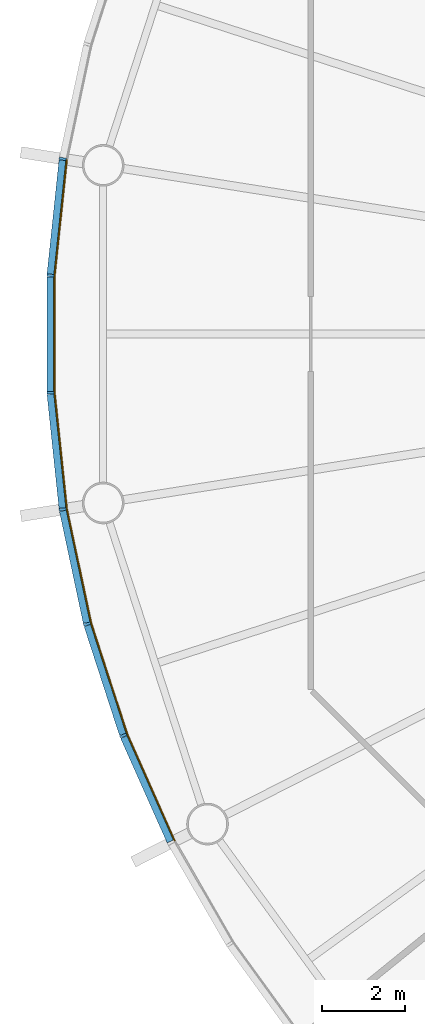
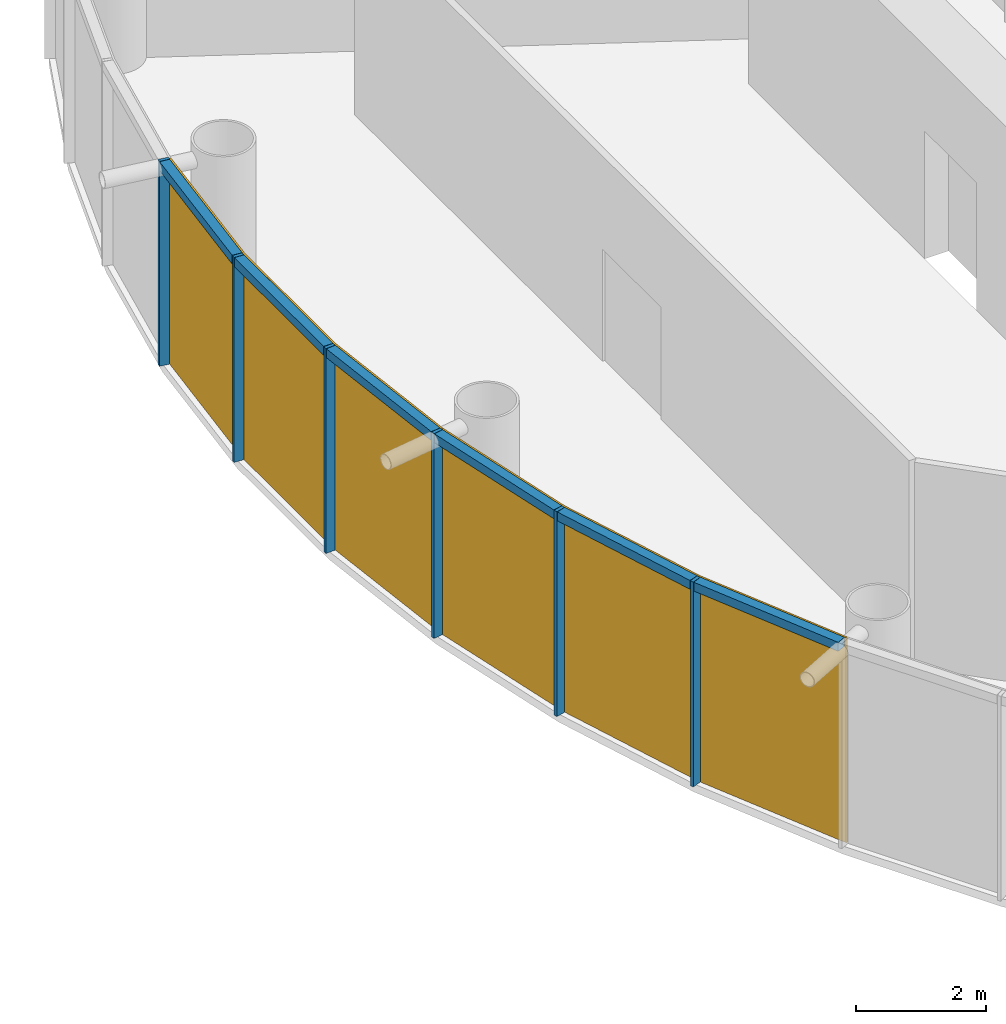
# One storey, part 7 of 12: 12 members, 2 curtain walls.
"""IFC4 building model written with IfcOpenShell, lengths in metres."""

from ifc_helpers import new_model, si_unit, direction, frame, origin, origin_2d, place, context, subcontext, project, spatial, polyline, rectangle, outline, extrude, material, layer, layer_set, material_profile, profile_set, type_object, element, aggregate, save


model = new_model("IFC4")

# Units and contexts
model_context = context("Model", 3, precision=1e-05, world=origin(), true_north=direction((0.0, 1.0)))
body_context = subcontext(model_context, "Body", "Model", "MODEL_VIEW")
ifc_project = project(units=[si_unit("LENGTHUNIT", "METRE"), si_unit("AREAUNIT", "SQUARE_METRE"), si_unit("VOLUMEUNIT", "CUBIC_METRE"), si_unit("PLANEANGLEUNIT", "RADIAN"), si_unit("MASSUNIT", "GRAM", prefix="KILO")], contexts=[model_context])

# Member
ifc_material_1 = material(Name="Anodised aluminium", Category="aluminium")
ifc_material_profile_1 = material_profile(ifc_material_1, rectangle(XDim=0.06005859375, YDim=0.169921875, at=origin_2d()), Name="Mullion 60 x 170 mm anodised aluminium")
ifc_profile_set_1 = profile_set([ifc_material_profile_1], Name="Anodised aluminium")
member_type_1 = type_object("IfcMemberType", Name="Mullion 60 x 170 mm anodised aluminium", PredefinedType="MULLION", material=ifc_profile_set_1)
site_placement = place(None, origin())
building_placement = place(site_placement, origin())
storey_placement = place(building_placement, frame((0.0, 0.0, 246.0)))
member_1_placement = place(storey_placement, frame((63.446044921875, 84.205810546875, 0.0), z_axis=(0.0, 0.0, 1.0), x_axis=(-0.15643446504, -0.987688340595, 0.0)))
member_1 = element("IfcMember", 1, at=member_1_placement, type_object=member_type_1, Name="MULLION L56-27", PredefinedType="MULLION", context=body_context, shape_type="SweptSolid", body=[
    extrude(rectangle(XDim=0.06005859375, YDim=0.169921875, at=origin_2d()), origin(), (0.0, 0.0, 1.0), 3.85009765625),
])

member_2_placement = place(storey_placement, frame((63.15185546875, 81.406982421875, 0.0), z_axis=(0.0, 0.0, 1.0), x_axis=(-0.052335956243, -0.998629534755, 0.0)))
member_2 = element("IfcMember", 2, at=member_2_placement, type_object=member_type_1, Name="MULLION L56-28", PredefinedType="MULLION", context=body_context, shape_type="SweptSolid", body=[
    extrude(rectangle(XDim=0.06005859375, YDim=0.169921875, at=origin_2d()), origin(), (0.0, 0.0, 1.0), 3.85009765625),
])

member_3_placement = place(storey_placement, frame((63.15185546875, 78.593017578125, 0.0), z_axis=(0.0, 0.0, 1.0), x_axis=(0.052335956243, -0.998629534755, 0.0)))
member_3 = element("IfcMember", 3, at=member_3_placement, type_object=member_type_1, Name="MULLION L56-29", PredefinedType="MULLION", context=body_context, shape_type="SweptSolid", body=[
    extrude(rectangle(XDim=0.06005859375, YDim=0.169921875, at=origin_2d()), origin(), (0.0, 0.0, 1.0), 3.85009765625),
])

member_4_placement = place(storey_placement, frame((63.446044921875, 75.794189453125, 0.0), z_axis=(0.0, 0.0, 1.0), x_axis=(0.15643446504, -0.987688340595, 0.0)))
member_4 = element("IfcMember", 4, at=member_4_placement, type_object=member_type_1, Name="MULLION L56-30", PredefinedType="MULLION", context=body_context, shape_type="SweptSolid", body=[
    extrude(rectangle(XDim=0.06005859375, YDim=0.169921875, at=origin_2d()), origin(), (0.0, 0.0, 1.0), 3.85009765625),
])

member_5_placement = place(storey_placement, frame((64.031005859375, 73.041748046875, 0.0), z_axis=(0.0, 0.0, 1.0), x_axis=(0.258819045103, -0.965925826289, 0.0)))
member_5 = element("IfcMember", 5, at=member_5_placement, type_object=member_type_1, Name="MULLION L56-31", PredefinedType="MULLION", context=body_context, shape_type="SweptSolid", body=[
    extrude(rectangle(XDim=0.06005859375, YDim=0.169921875, at=origin_2d()), origin(), (0.0, 0.0, 1.0), 3.85009765625),
])

member_6_placement = place(storey_placement, frame((64.900634765625, 70.365234375, 0.0), z_axis=(0.0, 0.0, 1.0), x_axis=(0.358367949545, -0.933580426497, 0.0)))
member_6 = element("IfcMember", 6, at=member_6_placement, type_object=member_type_1, Name="MULLION L56-32", PredefinedType="MULLION", context=body_context, shape_type="SweptSolid", body=[
    extrude(rectangle(XDim=0.06005859375, YDim=0.169921875, at=origin_2d()), origin(), (0.0, 0.0, 1.0), 3.85009765625),
])

ifc_material_2 = material(Name="Anodised aluminium", Category="aluminium")
ifc_material_profile_2 = material_profile(ifc_material_2, rectangle(XDim=0.169921875, YDim=0.1650390625, at=origin_2d()), Name="Transom 165 x 170 mm anodised aluminium")
ifc_profile_set_2 = profile_set([ifc_material_profile_2], Name="Anodised aluminium")
member_type_2 = type_object("IfcMemberType", Name="Transom 165 x 170 mm anodised aluminium", PredefinedType="USERDEFINED", material=ifc_profile_set_2)
member_7_placement = place(storey_placement, frame((63.4423828125, 84.17138671875, 3.767578125), z_axis=(-0.104592190102, -0.994515195344, 0.0), x_axis=(0.994515195344, -0.104592190102, 0.0)))
member_7 = element("IfcMember", 7, at=member_7_placement, type_object=member_type_2, Name="TRANSOM L56-27", ObjectType="TRANSOM", PredefinedType="USERDEFINED", context=body_context, shape_type="SweptSolid", body=[
    extrude(rectangle(XDim=0.169921875, YDim=0.1650390625, at=origin_2d()), origin(), (0.0, 0.0, 1.0), 2.7451171875),
])

member_8_placement = place(storey_placement, frame((63.151611328125, 81.37255859375, 3.767578125), z_axis=(0.0, -1.0, 0.0), x_axis=(1.0, 0.0, 0.0)))
member_8 = element("IfcMember", 8, at=member_8_placement, type_object=member_type_2, Name="TRANSOM L56-28", ObjectType="TRANSOM", PredefinedType="USERDEFINED", context=body_context, shape_type="SweptSolid", body=[
    extrude(rectangle(XDim=0.169921875, YDim=0.1650390625, at=origin_2d()), origin(), (0.0, 0.0, 1.0), 2.7451171875),
])

member_9_placement = place(storey_placement, frame((63.1552734375, 78.55859375, 3.767578125), z_axis=(0.104592190102, -0.994515195344, 0.0), x_axis=(0.994515195344, 0.104592190102, 0.0)))
member_9 = element("IfcMember", 9, at=member_9_placement, type_object=member_type_2, Name="TRANSOM L56-29", ObjectType="TRANSOM", PredefinedType="USERDEFINED", context=body_context, shape_type="SweptSolid", body=[
    extrude(rectangle(XDim=0.169921875, YDim=0.1650390625, at=origin_2d()), origin(), (0.0, 0.0, 1.0), 2.7451171875),
])

member_10_placement = place(storey_placement, frame((63.453125, 75.760498046875, 3.767578125), z_axis=(0.207937468562, -0.97814212115, 0.0), x_axis=(0.97814212115, 0.207937468562, 0.0)))
member_10 = element("IfcMember", 10, at=member_10_placement, type_object=member_type_2, Name="TRANSOM L56-30", ObjectType="TRANSOM", PredefinedType="USERDEFINED", context=body_context, shape_type="SweptSolid", body=[
    extrude(rectangle(XDim=0.169921875, YDim=0.1650390625, at=origin_2d()), origin(), (0.0, 0.0, 1.0), 2.7451171875),
])

member_11_placement = place(storey_placement, frame((64.04150390625, 73.0087890625, 3.767578125), z_axis=(0.309041831781, -0.951048445774, 0.0), x_axis=(0.951048445774, 0.309041831781, 0.0)))
member_11 = element("IfcMember", 11, at=member_11_placement, type_object=member_type_2, Name="TRANSOM L56-31", ObjectType="TRANSOM", PredefinedType="USERDEFINED", context=body_context, shape_type="SweptSolid", body=[
    extrude(rectangle(XDim=0.169921875, YDim=0.1650390625, at=origin_2d()), origin(), (0.0, 0.0, 1.0), 2.7451171875),
])

member_12_placement = place(storey_placement, frame((64.91455078125, 70.333740234375, 3.767578125), z_axis=(0.406781987391, -0.913525267704, 0.0), x_axis=(0.913525267704, 0.406781987391, 0.0)))
member_12 = element("IfcMember", 12, at=member_12_placement, type_object=member_type_2, Name="TRANSOM L56-32", ObjectType="TRANSOM", PredefinedType="USERDEFINED", context=body_context, shape_type="SweptSolid", body=[
    extrude(rectangle(XDim=0.169921875, YDim=0.1650390625, at=origin_2d()), origin(), (0.0, 0.0, 1.0), 2.7451171875),
])

# Site, building, storey
site = spatial("IfcSite", under=ifc_project, at=site_placement, CompositionType="ELEMENT")
building = spatial("IfcBuilding", under=site, at=building_placement, Name="Entoto Ring Tower", CompositionType="ELEMENT")
storey = spatial("IfcBuildingStorey", under=building, at=storey_placement, Name="L56", CompositionType="ELEMENT", Elevation=246.0)

# Curtain wall
ifc_material_3 = material(Name="Clear low-iron glass", Category="glass")
ifc_layer = layer(ifc_material_3, 0.031982421875)
ifc_layer_set = layer_set([ifc_layer], Name="Clear low-iron glass")
curtain_wall_type = type_object("IfcCurtainWallType", Name="Curtain wall system CW4 glazing 32 mm", PredefinedType="NOTDEFINED", material=ifc_layer_set)
curtain_wall_1_placement = place(storey_placement, origin())
curtain_wall_1 = element("IfcCurtainWall", 13, at=curtain_wall_1_placement, inside=storey, type_object=curtain_wall_type, Name="CW4 L56-10", PredefinedType="NOTDEFINED", context=body_context, shape_type="SweptSolid", body=[
    extrude(outline(polyline([(63.530029296875, 84.1923828125), (63.23681640625, 81.402587890625), (63.23681640625, 78.597412109375), (63.530029296875, 75.8076171875), (63.5615234375, 75.8125), (63.268798828125, 78.59912109375), (63.268798828125, 81.40087890625), (63.5615234375, 84.1875), (63.530029296875, 84.1923828125)])), origin(), (0.0, 0.0, 1.0), 3.85009765625),
])

aggregate(curtain_wall_1, [member_1, member_2, member_3, member_7, member_8, member_9])

curtain_wall_2_placement = place(storey_placement, origin())
curtain_wall_2 = element("IfcCurtainWall", 14, at=curtain_wall_2_placement, inside=storey, type_object=curtain_wall_type, Name="CW4 L56-11", PredefinedType="NOTDEFINED", context=body_context, shape_type="SweptSolid", body=[
    extrude(outline(polyline([(63.530029296875, 75.8076171875), (64.11328125, 73.063720703125), (64.97998046875, 70.395751953125), (66.12109375, 67.8330078125), (66.149658203125, 67.84765625), (65.010009765625, 70.4072265625), (64.14404296875, 73.072021484375), (63.5615234375, 75.8125), (63.530029296875, 75.8076171875)])), origin(), (0.0, 0.0, 1.0), 3.85009765625),
])

aggregate(curtain_wall_2, [member_4, member_5, member_6, member_10, member_11, member_12])

save(model, "model.ifc")
